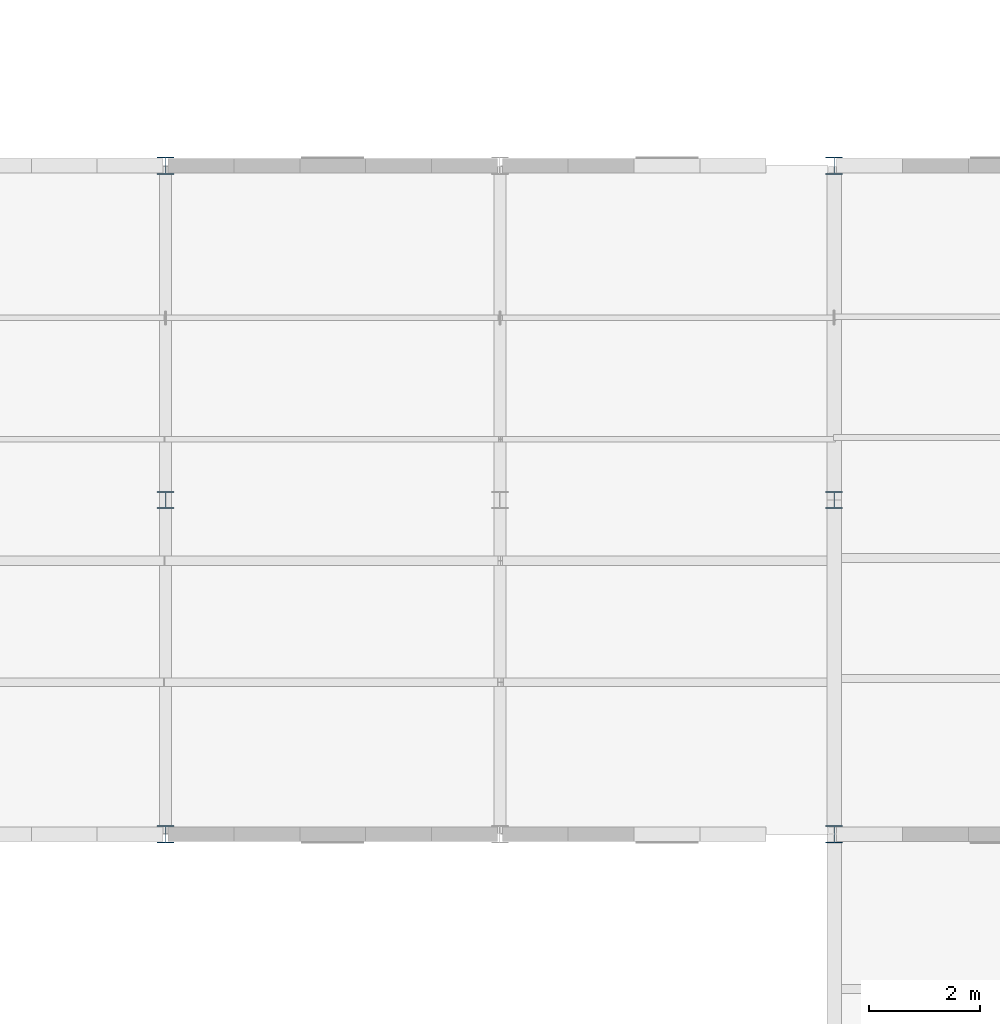
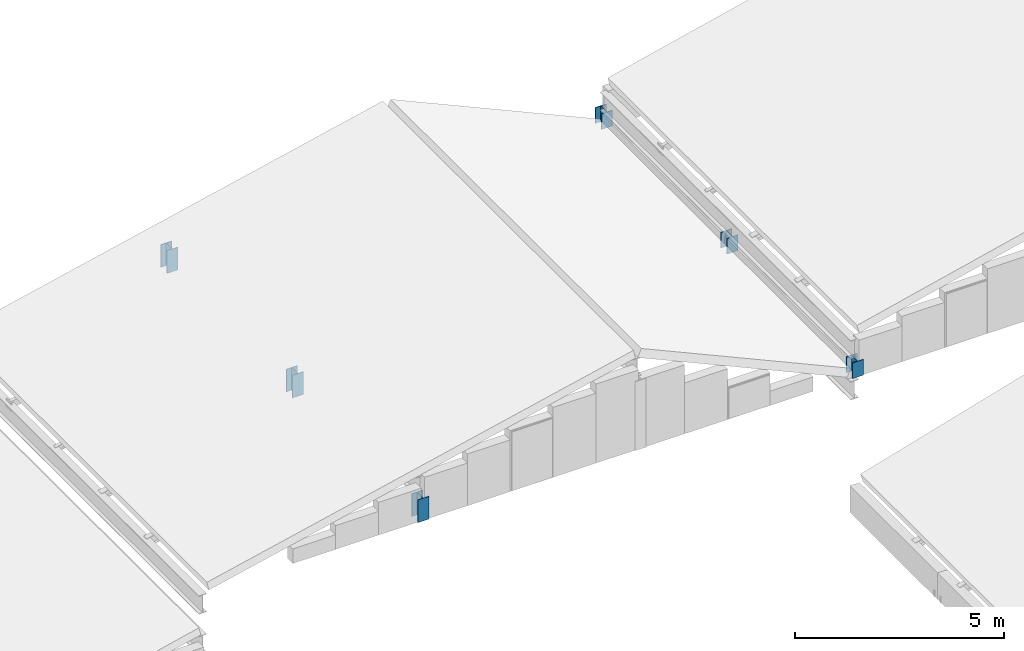
# One storey, part 36 of 74: 6 members.
"""IFC4 building model written with IfcOpenShell, lengths in metres."""

import ifcopenshell
import ifcopenshell.guid

model = None  # the IFC model being written
_history = None  # IfcOwnerHistory: only IFC2X3 demands one
_inside = {}  # id of a spatial element -> (the spatial element, [elements in it])
_under = {}  # id of a project, library or spatial element -> (it, [spatial elements below it])
_declared = {}  # id of a project -> (the project, [libraries it declares])
_typed = {}  # id of a type object -> (the type object, [elements of that type])
_made_of = {}  # id of a material, layer set ... -> (it, [elements and type objects made of it])


def new_model(schema):
    """Start an empty IFC model of exactly this schema.

    Asked for "IFC4X3", IfcOpenShell would pick the latest addendum, in which some entities
    have other attributes; the version numbers below select the first issue.
    IFC2X3 requires an IfcOwnerHistory on every rooted entity: one is made here for all.
    """
    global model, _history
    if schema == "IFC4X3":
        model = ifcopenshell.file(schema_version=(4, 3, 0, 0))
    else:
        model = ifcopenshell.file(schema=schema)
    _inside.clear()
    _under.clear()
    _declared.clear()
    _typed.clear()
    _made_of.clear()
    _history = None
    if model.schema == "IFC2X3":
        org = make("IfcOrganization", Name="unknown")
        user = make(
            "IfcPersonAndOrganization",
            ThePerson=make("IfcPerson", FamilyName="unknown"),
            TheOrganization=org,
        )
        app = make(
            "IfcApplication",
            ApplicationDeveloper=org,
            Version="unknown",
            ApplicationFullName="unknown",
            ApplicationIdentifier="unknown",
        )
        _history = make(
            "IfcOwnerHistory",
            OwningUser=user,
            OwningApplication=app,
            ChangeAction="ADDED",
            CreationDate=0,
        )
    return model


def make(cls, **values):
    """One entity of the class cls with the attributes given. An attribute that is None is left unset."""
    return model.create_entity(
        cls, **{name: value for name, value in values.items() if value is not None}
    )


def rooted(cls, **values):
    """An entity with a GlobalId (a new one), such as an element, a storey or a relation."""
    return make(cls, GlobalId=ifcopenshell.guid.new(), OwnerHistory=_history, **values)


def si_unit(unit_type, name, prefix=None):
    """IfcSIUnit, for example si_unit("LENGTHUNIT", "METRE", prefix="MILLI")."""
    return make("IfcSIUnit", UnitType=unit_type, Prefix=prefix, Name=name)


def assignment(units):
    """IfcUnitAssignment: the units of a project."""
    return None if units is None else make("IfcUnitAssignment", Units=units)


def point(xyz):
    """IfcCartesianPoint."""
    return None if xyz is None else make("IfcCartesianPoint", Coordinates=xyz)


def direction(xyz):
    """IfcDirection."""
    return None if xyz is None else make("IfcDirection", DirectionRatios=xyz)


def frame(location, z_axis=None, x_axis=None):
    """IfcAxis2Placement3D, a coordinate frame: its origin and axes. An axis left out is left unset."""
    return make(
        "IfcAxis2Placement3D",
        Location=point(location),
        Axis=direction(z_axis),
        RefDirection=direction(x_axis),
    )


def frame_2d(location, x_axis=None):
    """IfcAxis2Placement2D, a coordinate frame in the plane: its origin and x axis."""
    return make(
        "IfcAxis2Placement2D", Location=point(location), RefDirection=direction(x_axis)
    )


def origin():
    """The frame at (0, 0, 0) with its axes left unset."""
    return frame((0.0, 0.0, 0.0))


def origin_2d():
    """The frame at (0, 0) in the plane with its x axis left unset."""
    return frame_2d((0.0, 0.0))


def place(relative_to, where):
    """IfcLocalPlacement: puts the frame where relative to a parent placement (None: the world)."""
    return make(
        "IfcLocalPlacement", PlacementRelTo=relative_to, RelativePlacement=where
    )


def context(
    kind, dimensions, precision=None, world=None, true_north=None, identifier=None
):
    """IfcGeometricRepresentationContext, for example the 3D "Model" context."""
    return make(
        "IfcGeometricRepresentationContext",
        ContextIdentifier=identifier,
        ContextType=kind,
        CoordinateSpaceDimension=dimensions,
        Precision=precision,
        WorldCoordinateSystem=world,
        TrueNorth=true_north,
    )


def subcontext(parent, identifier, kind, view, scale=None):
    """IfcGeometricRepresentationSubContext, for example "Body" below "Model"."""
    return make(
        "IfcGeometricRepresentationSubContext",
        ContextIdentifier=identifier,
        ContextType=kind,
        ParentContext=parent,
        TargetScale=scale,
        TargetView=view,
    )


def project(units=None, contexts=None):
    """IfcProject with its units and contexts."""
    return rooted(
        "IfcProject",
        Name="project",
        RepresentationContexts=contexts,
        UnitsInContext=assignment(units),
    )


def spatial(cls, under=None, at=None, **own):
    """A site, building, storey or space (cls), placed at a placement, below another one or the project."""
    s = rooted(cls, ObjectPlacement=at, **own)
    if under is not None:
        _under.setdefault(under.id(), (under, []))[1].append(s)
    return s


def profile(cls, at=None, kind="AREA", **sizes):
    """A parametric profile (cls). Its sizes go by their IFC names, for example OverallWidth=200.0."""
    return make(cls, ProfileType=kind, Position=at, **sizes)


def i_section(**sizes):
    """IfcIShapeProfileDef."""
    return profile("IfcIShapeProfileDef", **sizes)


def extrude(swept, where, along, depth):
    """IfcExtrudedAreaSolid: the profile swept, set in the frame where, extruded along a direction by depth."""
    return make(
        "IfcExtrudedAreaSolid",
        SweptArea=swept,
        Position=where,
        ExtrudedDirection=direction(along),
        Depth=depth,
    )


def shape(context_of_items, identifier, shape_type, items):
    """IfcShapeRepresentation: the items that make up one representation, for example the "Body"."""
    return make(
        "IfcShapeRepresentation",
        ContextOfItems=context_of_items,
        RepresentationIdentifier=identifier,
        RepresentationType=shape_type,
        Items=items,
    )


def material(Name=None, Category=None):
    """IfcMaterial."""
    return make("IfcMaterial", Name=Name, Category=Category)


def material_profile(
    of_material, cross_section, Name=None, Category=None, Priority=None
):
    """IfcMaterialProfile: a cross section and its material."""
    return make(
        "IfcMaterialProfile",
        Name=Name,
        Material=of_material,
        Profile=cross_section,
        Priority=Priority,
        Category=Category,
    )


def profile_set(profiles, Name=None, composite=None):
    """IfcMaterialProfileSet."""
    return make(
        "IfcMaterialProfileSet",
        Name=Name,
        MaterialProfiles=profiles,
        CompositeProfile=composite,
    )


def made_of(thing, what):
    """Note that an element or type object is made of a material, layer set ...; save() writes the relation."""
    if what is not None:
        _made_of.setdefault(what.id(), (what, []))[1].append(thing)
    return thing


def type_object(cls, material=None, **own):
    """A type object (cls), such as IfcWallType, which elements share."""
    return made_of(rooted(cls, **own), material)


def element(
    cls,
    number,
    at=None,
    inside=None,
    cuts=None,
    type_object=None,
    material=None,
    context=None,
    identifier="Body",
    shape_type=None,
    held_by="IfcProductDefinitionShape",
    body=None,
    shapes=None,
    **own,
):
    """One element of the class cls, such as IfcWall. Its Tag is "e" and its number.

    at: its placement. inside: the storey or other place that contains it. cuts: it is an
    opening in that element (IfcRelVoidsElement). A single representation is given by context,
    identifier, shape_type and body (its items); several are given by shapes. held_by: the class
    of the entity that holds the representations. save() writes the other relations.
    """
    e = rooted(cls, Tag="e%d" % number, ObjectPlacement=at, **own)
    if body is not None:
        shapes = [shape(context, identifier, shape_type, body)]
    if shapes is not None:
        e.Representation = make(held_by, Representations=shapes)
    if inside is not None:
        _inside.setdefault(inside.id(), (inside, []))[1].append(e)
    if cuts is not None:
        rooted(
            "IfcRelVoidsElement", RelatingBuildingElement=cuts, RelatedOpeningElement=e
        )
    if type_object is not None:
        _typed.setdefault(type_object.id(), (type_object, []))[1].append(e)
    return made_of(e, material)


def aggregate(whole, parts):
    """IfcRelAggregates: a whole, such as a stair, and the parts it consists of."""
    return rooted("IfcRelAggregates", RelatingObject=whole, RelatedObjects=parts)


def save(model, path):
    """Write the relations noted so far, then the file.

    IfcRelAggregates (storeys below a building ...), IfcRelContainedInSpatialStructure (elements
    in a storey), IfcRelDefinesByType, IfcRelAssociatesMaterial and IfcRelDeclares: one each for
    every whole, place, type object, material and project.
    """
    for whole, parts in _under.values():
        aggregate(whole, parts)
    for where, things in _inside.values():
        rooted(
            "IfcRelContainedInSpatialStructure",
            RelatedElements=things,
            RelatingStructure=where,
        )
    for kind, things in _typed.values():
        rooted("IfcRelDefinesByType", RelatedObjects=things, RelatingType=kind)
    for what, things in _made_of.values():
        rooted("IfcRelAssociatesMaterial", RelatedObjects=things, RelatingMaterial=what)
    for by, libraries in _declared.values():
        rooted("IfcRelDeclares", RelatingContext=by, RelatedDefinitions=libraries)
    model.write(path)


model = new_model("IFC4")

# Units and contexts
model_context = context("Model", 3, precision=1e-05, world=origin(), true_north=direction((0.0, 1.0)))
body_context = subcontext(model_context, "Body", "Model", "MODEL_VIEW")
ifc_project = project(units=[si_unit("LENGTHUNIT", "METRE"), si_unit("AREAUNIT", "SQUARE_METRE"), si_unit("VOLUMEUNIT", "CUBIC_METRE"), si_unit("PLANEANGLEUNIT", "RADIAN"), si_unit("MASSUNIT", "GRAM", prefix="KILO")], contexts=[model_context])

# Site, building, storey
site_placement = place(None, origin())
site = spatial("IfcSite", under=ifc_project, at=site_placement, CompositionType="ELEMENT")
building_placement = place(site_placement, origin())
building = spatial("IfcBuilding", under=site, at=building_placement, Name="Siltcreek Boulevard Central Fire Station", CompositionType="ELEMENT")
storey_placement = place(building_placement, frame((0.0, 0.0, 25.199951171875)))
storey = spatial("IfcBuildingStorey", under=building, at=storey_placement, Name="RF", CompositionType="ELEMENT", Elevation=25.199951171875)

# Members
ifc_material = material(Name="Structural steel ASTM A992 Gr50", Category="steel")
ifc_material_profile = material_profile(ifc_material, i_section(OverallWidth=0.304931640625, OverallDepth=0.30810546875, WebThickness=0.010009765625, FlangeThickness=0.015380859375, at=origin_2d()), Name="W310X97")
ifc_profile_set = profile_set([ifc_material_profile], Name="Structural steel ASTM A992 Gr50")
member_type = type_object("IfcMemberType", Name="CH_W310X97", PredefinedType="CHORD", material=ifc_profile_set)
for number, where, z_axis, x_axis, name in (
    (1, (130.199951171875, 18.0, -11.199951171875), (0.0, 0.0, 1.0), (1.0, 0.0, 0.0), "Roof bearing truss post 0762"),
    (2, (130.199951171875, 24.0, -11.199951171875), (0.0, 0.0, 1.0), (1.0, 0.0, 0.0), "Roof bearing truss post 0763"),
    (3, (130.199951171875, 30.0, -11.199951171875), (0.0, 0.0, 1.0), (1.0, 0.0, 0.0), "Roof bearing truss post 0764"),
):
    element("IfcMember", number, at=place(storey_placement, frame(where, z_axis=z_axis, x_axis=x_axis)), inside=storey, type_object=member_type, Name=name, PredefinedType="CHORD", context=body_context, shape_type="SweptSolid", body=[
        extrude(i_section(OverallWidth=0.304931640625, OverallDepth=0.30810546875, WebThickness=0.010009765625, FlangeThickness=0.015380859375, at=origin_2d()), origin(), (0.0, 0.0, 1.0), 0.66259765625),
    ])
for number, where, z_axis, x_axis, name in (
    (4, (142.199951171875, 18.0, -11.199951171875), (0.0, 0.0, 1.0), (1.0, 0.0, 0.0), "Roof bearing truss post 0777"),
    (5, (142.199951171875, 24.0, -11.199951171875), (0.0, 0.0, 1.0), (1.0, 0.0, 0.0), "Roof bearing truss post 0778"),
    (6, (142.199951171875, 30.0, -11.199951171875), (0.0, 0.0, 1.0), (1.0, 0.0, 0.0), "Roof bearing truss post 0779"),
):
    element("IfcMember", number, at=place(storey_placement, frame(where, z_axis=z_axis, x_axis=x_axis)), inside=storey, type_object=member_type, Name=name, PredefinedType="CHORD", context=body_context, shape_type="SweptSolid", body=[
        extrude(i_section(OverallWidth=0.304931640625, OverallDepth=0.30810546875, WebThickness=0.010009765625, FlangeThickness=0.015380859375, at=origin_2d()), origin(), (0.0, 0.0, 1.0), 0.460205078125),
    ])

save(model, "model.ifc")
